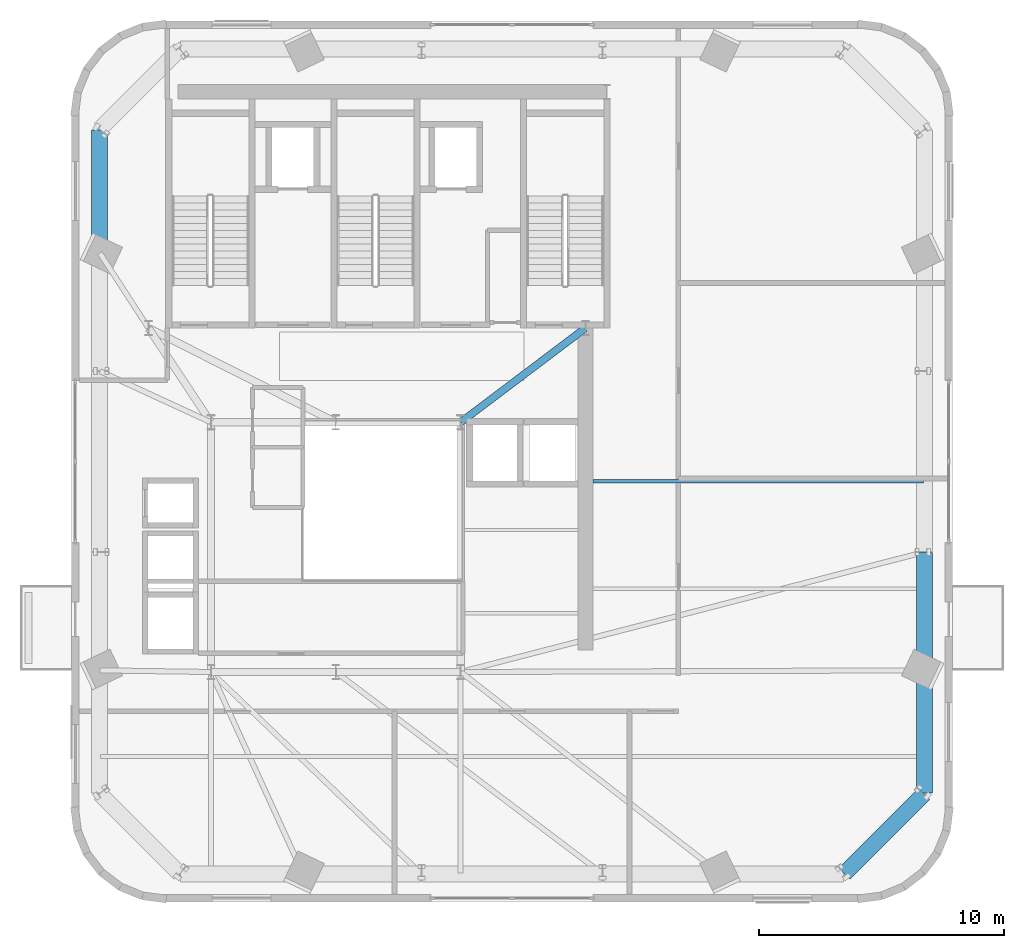
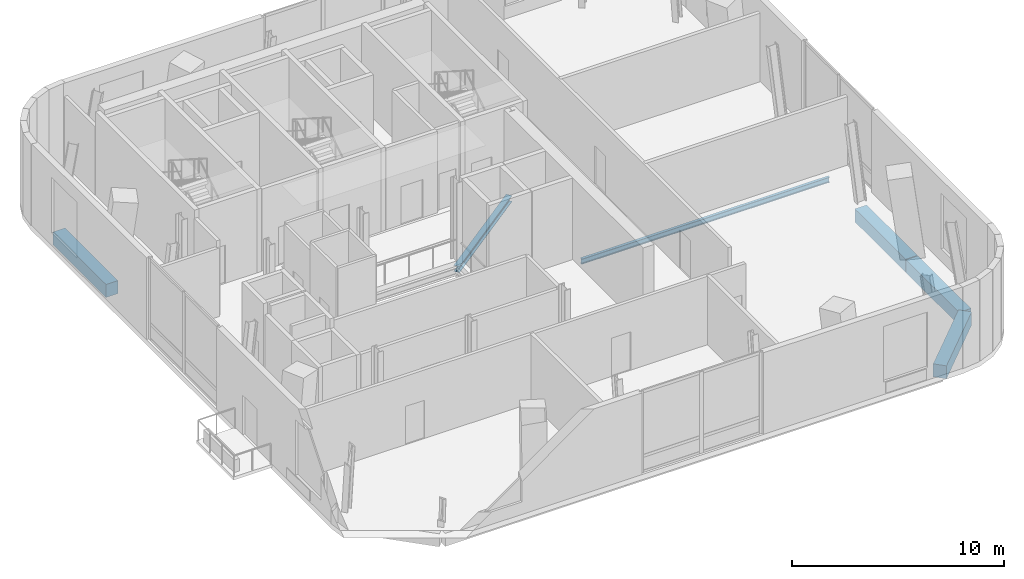
# One storey, part 3 of 11: 6 beams.
"""IFC4 building model written with IfcOpenShell, lengths in metres."""

from ifc_helpers import new_model, si_unit, direction, frame, origin, origin_2d, place, context, subcontext, project, spatial, rectangle, i_section, extrude, source, transform, mapped, material, material_profile, profile_set, type_object, element, save


model = new_model("IFC4")

# Units and contexts
model_context = context("Model", 3, precision=1e-05, world=origin(), true_north=direction((0.0, 1.0)))
body_context = subcontext(model_context, "Body", "Model", "MODEL_VIEW")
ifc_project = project(units=[si_unit("LENGTHUNIT", "METRE"), si_unit("AREAUNIT", "SQUARE_METRE"), si_unit("VOLUMEUNIT", "CUBIC_METRE"), si_unit("PLANEANGLEUNIT", "RADIAN"), si_unit("MASSUNIT", "GRAM", prefix="KILO")], contexts=[model_context])

# Site, building, storey
site_placement = place(None, origin())
site = spatial("IfcSite", under=ifc_project, at=site_placement, CompositionType="ELEMENT")
building_placement = place(site_placement, origin())
building = spatial("IfcBuilding", under=site, at=building_placement, Name="Vardaveli Station Tower", CompositionType="ELEMENT")
storey_placement = place(building_placement, frame((0.0, 0.0, 296.14990234375)))
storey = spatial("IfcBuildingStorey", under=building, at=storey_placement, Name="L75", CompositionType="ELEMENT", Elevation=296.14990234375)

# Beams
ifc_material_1 = material(Name="Structural steel S355J2", Category="steel")
ifc_material_profile_1 = material_profile(ifc_material_1, i_section(OverallWidth=0.300048828125, OverallDepth=0.360107421875, WebThickness=0.012451171875, FlangeThickness=0.0224609375, FilletRadius=0.027099609375, at=origin_2d()), Name="HEB 360")
ifc_profile_set_1 = profile_set([ifc_material_profile_1], Name="Structural steel S355J2")
beam_type_1 = type_object("IfcBeamType", Name="BM-HEB360", PredefinedType="BEAM", material=ifc_profile_set_1)
shared_shape_1 = source(origin(), body_context, "Body", "SweptSolid", [
    extrude(i_section(OverallWidth=0.300048828125, OverallDepth=0.360107421875, WebThickness=0.012451171875, FlangeThickness=0.0224609375, FilletRadius=0.027099609375, at=origin_2d()), origin(), (0.0, 0.0, 1.0), 6.35009765625),
])
beam_1_placement = place(storey_placement, frame((41.416015625, 26.81201171875, -0.47998046875), z_axis=(0.798118337722, 0.602500721154, 0.0), x_axis=(-0.602500721154, 0.798118337722, 0.0)))
element("IfcBeam", 1, at=beam_1_placement, inside=storey, type_object=beam_type_1, Name="CBM-L75-02", PredefinedType="BEAM", context=body_context, shape_type="MappedRepresentation", body=[
    mapped(shared_shape_1, transform((0.0, 0.0, 0.0), scale=1.0)),
])
ifc_material_2 = material(Name="Precast concrete C45/55", Category="concrete")
ifc_material_profile_2 = material_profile(ifc_material_2, rectangle(XDim=0.64990234375, YDim=0.75, at=origin_2d()), Name="LPB 650x750")
ifc_profile_set_2 = profile_set([ifc_material_profile_2], Name="Precast concrete C45/55")
beam_type_2 = type_object("IfcBeamType", Name="BM-LPB-750", PredefinedType="BEAM", material=ifc_profile_set_2)
shared_shape_2 = source(origin(), body_context, "Body", "SweptSolid", [
    extrude(rectangle(XDim=0.64990234375, YDim=0.75, at=origin_2d()), origin(), (0.0, 0.0, 1.0), 4.7919921875),
])
beam_2_placement = place(storey_placement, frame((60.35009765625, 16.68798828125, -0.6748046875), z_axis=(0.0, 1.0, 0.0), x_axis=(-1.0, 0.0, 0.0)))
element("IfcBeam", 2, at=beam_2_placement, inside=storey, type_object=beam_type_2, Name="RBM-L75-07", PredefinedType="BEAM", context=body_context, shape_type="MappedRepresentation", body=[
    mapped(shared_shape_2, transform((0.0, 0.0, 0.0), scale=1.0)),
])
shared_shape_3 = source(origin(), body_context, "Body", "SweptSolid", [
    extrude(rectangle(XDim=0.64990234375, YDim=0.75, at=origin_2d()), origin(), (0.0, 0.0, 1.0), 4.998046875),
])
for number, where, z_axis, x_axis, name in (
    (3, (60.35009765625, 11.64990234375, -0.6748046875), (0.0, 1.0, 0.0), (-1.0, 0.0, 0.0), "RBM-L75-06"),
    (4, (26.64990234375, 38.75, -0.6748046875), (0.0, -1.0, 0.0), (1.0, 0.0, 0.0), "RBM-L75-18"),
):
    element("IfcBeam", number, at=place(storey_placement, frame(where, z_axis=z_axis, x_axis=x_axis)), inside=storey, type_object=beam_type_2, Name=name, PredefinedType="BEAM", context=body_context, shape_type="MappedRepresentation", body=[
        mapped(shared_shape_3, transform((0.0, 0.0, 0.0), scale=1.0)),
    ])
shared_shape_4 = source(origin(), body_context, "Body", "SweptSolid", [
    extrude(rectangle(XDim=0.64990234375, YDim=0.75, at=origin_2d()), origin(), (0.0, 0.0, 1.0), 4.5986328125),
])
beam_3_placement = place(storey_placement, frame((57.084228515625, 8.3642578125, -0.6748046875), z_axis=(0.707106781187, 0.707106781187, 0.0), x_axis=(-0.707106781187, 0.707106781187, 0.0)))
element("IfcBeam", 5, at=beam_3_placement, inside=storey, type_object=beam_type_2, Name="RBM-L75-05", PredefinedType="BEAM", context=body_context, shape_type="MappedRepresentation", body=[
    mapped(shared_shape_4, transform((0.0, 0.0, 0.0), scale=1.0)),
])
ifc_material_profile_3 = material_profile(ifc_material_1, i_section(OverallWidth=0.14990234375, OverallDepth=0.300048828125, WebThickness=0.007080078125, FlangeThickness=0.0107421875, FilletRadius=0.014892578125, at=origin_2d()), Name="IPE 300")
ifc_profile_set_3 = profile_set([ifc_material_profile_3], Name="Structural steel S355J2")
beam_type_3 = type_object("IfcBeamType", Name="BM-IPE300", PredefinedType="JOIST", material=ifc_profile_set_3)
shared_shape_5 = source(origin(), body_context, "Body", "SweptSolid", [
    extrude(i_section(OverallWidth=0.14990234375, OverallDepth=0.300048828125, WebThickness=0.007080078125, FlangeThickness=0.0107421875, FilletRadius=0.014892578125, at=origin_2d()), origin(), (0.0, 0.0, 1.0), 13.505126953125),
])
beam_4_placement = place(storey_placement, frame((46.804931640625, 24.39990234375, -0.449951171875), z_axis=(1.0, 0.0, 0.0), x_axis=(0.0, 1.0, 0.0)))
element("IfcBeam", 6, at=beam_4_placement, inside=storey, type_object=beam_type_3, Name="SJ-L75-E07", PredefinedType="JOIST", context=body_context, shape_type="MappedRepresentation", body=[
    mapped(shared_shape_5, transform((0.0, 0.0, 0.0), scale=1.0)),
])

save(model, "model.ifc")
